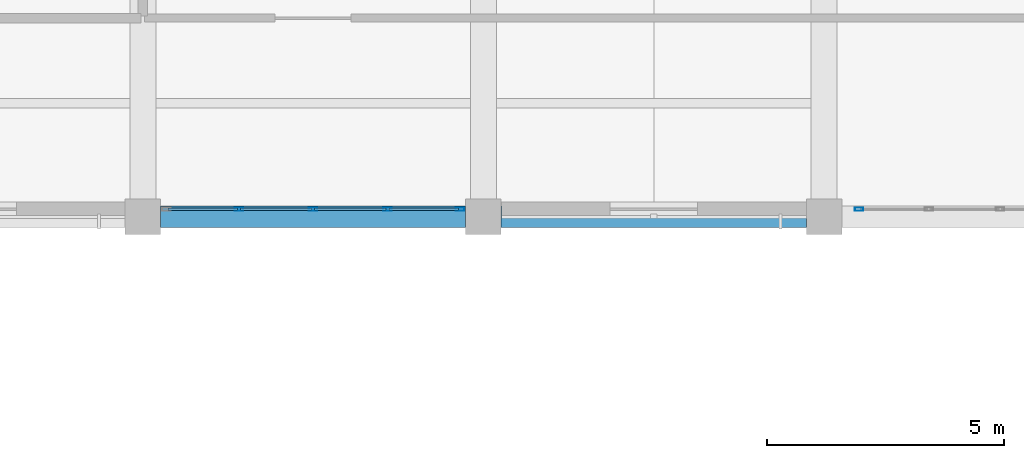
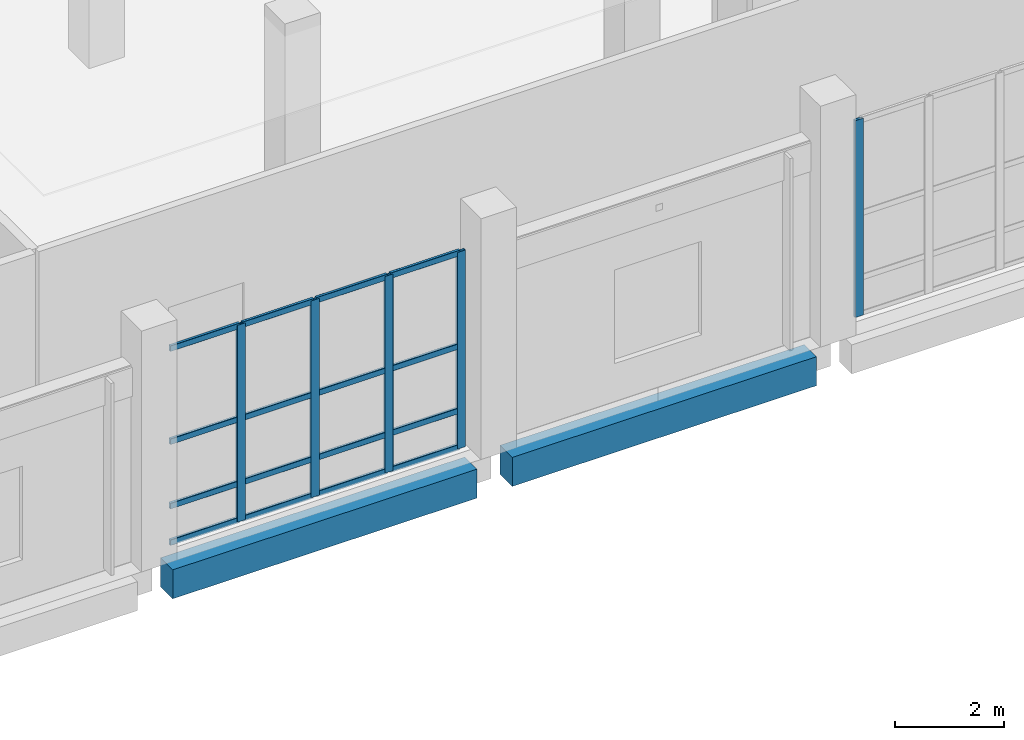
# One storey, part 51 of 137: 21 members, 2 beams, 2 elements without a shape of their own.
"""IFC4 building model written with IfcOpenShell, lengths in metres."""

from ifc_helpers import new_model, si_unit, direction, frame, origin, origin_2d, place, context, subcontext, project, spatial, rectangle, hollow_rectangle, extrude, material, material_profile, profile_set, type_object, element, aggregate, save


model = new_model("IFC4")

# Units and contexts
model_context = context("Model", 3, precision=1e-05, world=origin(), true_north=direction((0.0, 1.0)))
body_context = subcontext(model_context, "Body", "Model", "MODEL_VIEW")
ifc_project = project(units=[si_unit("LENGTHUNIT", "METRE"), si_unit("AREAUNIT", "SQUARE_METRE"), si_unit("VOLUMEUNIT", "CUBIC_METRE"), si_unit("PLANEANGLEUNIT", "RADIAN"), si_unit("MASSUNIT", "GRAM", prefix="KILO")], contexts=[model_context])

# Site, building, storey
site_placement = place(None, origin())
site = spatial("IfcSite", under=ifc_project, at=site_placement, CompositionType="ELEMENT")
building_placement = place(site_placement, origin())
building = spatial("IfcBuilding", under=site, at=building_placement, Name="Kalmorath City Hall", CompositionType="ELEMENT")
storey_placement = place(building_placement, origin())
storey = spatial("IfcBuildingStorey", under=building, at=storey_placement, Name="L00", CompositionType="ELEMENT", Elevation=0.0)

# Beams
ifc_material_1 = material(Name="Concrete C40/50", Category="concrete")
ifc_material_profile_1 = material_profile(ifc_material_1, rectangle(XDim=0.449951171875, YDim=0.64990234375, at=origin_2d()), Name="RC-BM-450X650")
ifc_profile_set_1 = profile_set([ifc_material_profile_1], Name="Concrete C40/50")
beam_type = type_object("IfcBeamType", Name="Concrete spandrel beam 450x650", PredefinedType="SPANDREL", material=ifc_profile_set_1)
beam_1_placement = place(storey_placement, frame((43.574951171875, 93.60009765625, -0.62890625), z_axis=(1.0, 0.0, 0.0), x_axis=(0.0, 1.0, 0.0)))
element("IfcBeam", 1, at=beam_1_placement, inside=storey, type_object=beam_type, Name="L00 girder CB5 X7-8/14", PredefinedType="SPANDREL", context=body_context, shape_type="SweptSolid", body=[
    extrude(rectangle(XDim=0.449951171875, YDim=0.64990234375, at=origin_2d()), origin(), (0.0, 0.0, 1.0), 6.449951171875),
])
beam_2_placement = place(storey_placement, frame((50.77490234375, 93.60009765625, -0.62890625), z_axis=(1.0, 0.0, 0.0), x_axis=(0.0, 1.0, 0.0)))
element("IfcBeam", 2, at=beam_2_placement, inside=storey, type_object=beam_type, Name="L00 girder CB5 X8-9/14", PredefinedType="SPANDREL", context=body_context, shape_type="SweptSolid", body=[
    extrude(rectangle(XDim=0.449951171875, YDim=0.64990234375, at=origin_2d()), origin(), (0.0, 0.0, 1.0), 6.4501953125),
])

# Curtain wall, member
ifc_material_2 = material(Name="Anodised aluminium and laminated glass", Category="aluminium")
curtain_wall_type_1 = type_object("IfcCurtainWallType", Name="Unitised hurricane curtain wall 6027x4411 M1550", PredefinedType="NOTDEFINED", material=ifc_material_2)
curtain_wall_1_placement = place(storey_placement, origin())
curtain_wall_1 = element("IfcCurtainWall", 3, at=curtain_wall_1_placement, inside=storey, type_object=curtain_wall_type_1, Name="L00 curtain wall CW-60X44M16 #52", PredefinedType="NOTDEFINED")
ifc_material_3 = material(Name="Anodised aluminium framing", Category="aluminium")
ifc_material_profile_2 = material_profile(ifc_material_3, hollow_rectangle(XDim=0.06494140625, YDim=0.179931640625, WallThickness=0.00390625, InnerFilletRadius=0.00390625, OuterFilletRadius=0.008056640625, at=origin_2d()), Name="ALU-MUL-180X65X4")
ifc_profile_set_2 = profile_set([ifc_material_profile_2], Name="Anodised aluminium framing")
member_type_1 = type_object("IfcMemberType", Name="Curtain-wall courtyard mullion 180x65", PredefinedType="MULLION", material=ifc_profile_set_2)
member_1_placement = place(storey_placement, frame((58.340087890625, 93.760009765625, 0.0), z_axis=(0.0, 0.0, 1.0), x_axis=(0.0, -1.0, 0.0)))
member_1 = element("IfcMember", 4, at=member_1_placement, type_object=member_type_1, Name="CW-60X44M16 mullion 5", PredefinedType="MULLION", context=body_context, shape_type="SweptSolid", body=[
    extrude(hollow_rectangle(XDim=0.06494140625, YDim=0.179931640625, WallThickness=0.00390625, InnerFilletRadius=0.00390625, OuterFilletRadius=0.008056640625, at=origin_2d()), origin(), (0.0, 0.0, 1.0), 4.410888671875),
])
aggregate(curtain_wall_1, [member_1])

# Curtain wall, members
ifc_material_4 = material(Name="Anodised aluminium and laminated glass", Category="aluminium")
curtain_wall_type_2 = type_object("IfcCurtainWallType", Name="Unitised hurricane curtain wall 6270x4411 M1550", PredefinedType="NOTDEFINED", material=ifc_material_4)
curtain_wall_2_placement = place(storey_placement, origin())
curtain_wall_2 = element("IfcCurtainWall", 5, at=curtain_wall_2_placement, inside=storey, type_object=curtain_wall_type_2, Name="L00 curtain wall CW-63X44M16 #53", PredefinedType="NOTDEFINED")
member_2_placement = place(storey_placement, frame((49.902587890625, 93.760009765625, 0.0), z_axis=(0.0, 0.0, 1.0), x_axis=(0.0, -1.0, 0.0)))
member_2 = element("IfcMember", 6, at=member_2_placement, type_object=member_type_1, Name="CW-63X44M16 mullion 1", PredefinedType="MULLION", context=body_context, shape_type="SweptSolid", body=[
    extrude(hollow_rectangle(XDim=0.06494140625, YDim=0.179931640625, WallThickness=0.00390625, InnerFilletRadius=0.00390625, OuterFilletRadius=0.008056640625, at=origin_2d()), origin(), (0.0, 0.0, 1.0), 4.410888671875),
])
member_3_placement = place(storey_placement, frame((48.367431640625, 93.760009765625, 0.0), z_axis=(0.0, 0.0, 1.0), x_axis=(0.0, -1.0, 0.0)))
member_3 = element("IfcMember", 7, at=member_3_placement, type_object=member_type_1, Name="CW-63X44M16 mullion 2", PredefinedType="MULLION", context=body_context, shape_type="SweptSolid", body=[
    extrude(hollow_rectangle(XDim=0.06494140625, YDim=0.179931640625, WallThickness=0.00390625, InnerFilletRadius=0.00390625, OuterFilletRadius=0.008056640625, at=origin_2d()), origin(), (0.0, 0.0, 1.0), 4.410888671875),
])
member_4_placement = place(storey_placement, frame((46.800048828125, 93.760009765625, 0.0), z_axis=(0.0, 0.0, 1.0), x_axis=(0.0, -1.0, 0.0)))
member_4 = element("IfcMember", 8, at=member_4_placement, type_object=member_type_1, Name="CW-63X44M16 mullion 3", PredefinedType="MULLION", context=body_context, shape_type="SweptSolid", body=[
    extrude(hollow_rectangle(XDim=0.06494140625, YDim=0.179931640625, WallThickness=0.00390625, InnerFilletRadius=0.00390625, OuterFilletRadius=0.008056640625, at=origin_2d()), origin(), (0.0, 0.0, 1.0), 4.410888671875),
])
member_5_placement = place(storey_placement, frame((45.232421875, 93.760009765625, 0.0), z_axis=(0.0, 0.0, 1.0), x_axis=(0.0, -1.0, 0.0)))
member_5 = element("IfcMember", 9, at=member_5_placement, type_object=member_type_1, Name="CW-63X44M16 mullion 4", PredefinedType="MULLION", context=body_context, shape_type="SweptSolid", body=[
    extrude(hollow_rectangle(XDim=0.06494140625, YDim=0.179931640625, WallThickness=0.00390625, InnerFilletRadius=0.00390625, OuterFilletRadius=0.008056640625, at=origin_2d()), origin(), (0.0, 0.0, 1.0), 4.410888671875),
])
ifc_material_5 = material(Name="Anodised aluminium framing", Category="aluminium")
ifc_material_profile_3 = material_profile(ifc_material_5, hollow_rectangle(XDim=0.06005859375, YDim=0.1298828125, WallThickness=0.00341796875, InnerFilletRadius=0.00341796875, OuterFilletRadius=0.007080078125, at=origin_2d()), Name="ALU-TRN-130X60X3.5")
ifc_profile_set_3 = profile_set([ifc_material_profile_3], Name="Anodised aluminium framing")
member_type_2 = type_object("IfcMemberType", Name="Curtain-wall courtyard transom 130x60", PredefinedType="USERDEFINED", material=ifc_profile_set_3)
member_6_placement = place(storey_placement, frame((49.8701171875, 93.760009765625, 0.030029296875), z_axis=(-1.0, 0.0, 0.0), x_axis=(0.0, -1.0, 0.0)))
member_6 = element("IfcMember", 10, at=member_6_placement, type_object=member_type_2, Name="CW-63X44M16 transom 1.1", ObjectType="TRANSOM", PredefinedType="USERDEFINED", context=body_context, shape_type="SweptSolid", body=[
    extrude(hollow_rectangle(XDim=0.06005859375, YDim=0.1298828125, WallThickness=0.00341796875, InnerFilletRadius=0.00341796875, OuterFilletRadius=0.007080078125, at=origin_2d()), origin(), (0.0, 0.0, 1.0), 1.47021484375),
])
member_7_placement = place(storey_placement, frame((49.8701171875, 93.760009765625, 0.85009765625), z_axis=(-1.0, 0.0, 0.0), x_axis=(0.0, -1.0, 0.0)))
member_7 = element("IfcMember", 11, at=member_7_placement, type_object=member_type_2, Name="CW-63X44M16 transom 1.2", ObjectType="TRANSOM", PredefinedType="USERDEFINED", context=body_context, shape_type="SweptSolid", body=[
    extrude(hollow_rectangle(XDim=0.06005859375, YDim=0.1298828125, WallThickness=0.00341796875, InnerFilletRadius=0.00341796875, OuterFilletRadius=0.007080078125, at=origin_2d()), origin(), (0.0, 0.0, 1.0), 1.47021484375),
])
member_8_placement = place(storey_placement, frame((49.8701171875, 93.760009765625, 2.2939453125), z_axis=(-1.0, 0.0, 0.0), x_axis=(0.0, -1.0, 0.0)))
member_8 = element("IfcMember", 12, at=member_8_placement, type_object=member_type_2, Name="CW-63X44M16 transom 1.3", ObjectType="TRANSOM", PredefinedType="USERDEFINED", context=body_context, shape_type="SweptSolid", body=[
    extrude(hollow_rectangle(XDim=0.06005859375, YDim=0.1298828125, WallThickness=0.00341796875, InnerFilletRadius=0.00341796875, OuterFilletRadius=0.007080078125, at=origin_2d()), origin(), (0.0, 0.0, 1.0), 1.47021484375),
])
member_9_placement = place(storey_placement, frame((49.8701171875, 93.760009765625, 4.381103515625), z_axis=(-1.0, 0.0, 0.0), x_axis=(0.0, -1.0, 0.0)))
member_9 = element("IfcMember", 13, at=member_9_placement, type_object=member_type_2, Name="CW-63X44M16 transom 1.4", ObjectType="TRANSOM", PredefinedType="USERDEFINED", context=body_context, shape_type="SweptSolid", body=[
    extrude(hollow_rectangle(XDim=0.06005859375, YDim=0.1298828125, WallThickness=0.00341796875, InnerFilletRadius=0.00341796875, OuterFilletRadius=0.007080078125, at=origin_2d()), origin(), (0.0, 0.0, 1.0), 1.47021484375),
])
member_10_placement = place(storey_placement, frame((48.3349609375, 93.760009765625, 0.030029296875), z_axis=(-1.0, 0.0, 0.0), x_axis=(0.0, -1.0, 0.0)))
member_10 = element("IfcMember", 14, at=member_10_placement, type_object=member_type_2, Name="CW-63X44M16 transom 2.1", ObjectType="TRANSOM", PredefinedType="USERDEFINED", context=body_context, shape_type="SweptSolid", body=[
    extrude(hollow_rectangle(XDim=0.06005859375, YDim=0.1298828125, WallThickness=0.00341796875, InnerFilletRadius=0.00341796875, OuterFilletRadius=0.007080078125, at=origin_2d()), origin(), (0.0, 0.0, 1.0), 1.50244140625),
])
member_11_placement = place(storey_placement, frame((48.3349609375, 93.760009765625, 0.85009765625), z_axis=(-1.0, 0.0, 0.0), x_axis=(0.0, -1.0, 0.0)))
member_11 = element("IfcMember", 15, at=member_11_placement, type_object=member_type_2, Name="CW-63X44M16 transom 2.2", ObjectType="TRANSOM", PredefinedType="USERDEFINED", context=body_context, shape_type="SweptSolid", body=[
    extrude(hollow_rectangle(XDim=0.06005859375, YDim=0.1298828125, WallThickness=0.00341796875, InnerFilletRadius=0.00341796875, OuterFilletRadius=0.007080078125, at=origin_2d()), origin(), (0.0, 0.0, 1.0), 1.50244140625),
])
member_12_placement = place(storey_placement, frame((48.3349609375, 93.760009765625, 2.2939453125), z_axis=(-1.0, 0.0, 0.0), x_axis=(0.0, -1.0, 0.0)))
member_12 = element("IfcMember", 16, at=member_12_placement, type_object=member_type_2, Name="CW-63X44M16 transom 2.3", ObjectType="TRANSOM", PredefinedType="USERDEFINED", context=body_context, shape_type="SweptSolid", body=[
    extrude(hollow_rectangle(XDim=0.06005859375, YDim=0.1298828125, WallThickness=0.00341796875, InnerFilletRadius=0.00341796875, OuterFilletRadius=0.007080078125, at=origin_2d()), origin(), (0.0, 0.0, 1.0), 1.50244140625),
])
member_13_placement = place(storey_placement, frame((48.3349609375, 93.760009765625, 4.381103515625), z_axis=(-1.0, 0.0, 0.0), x_axis=(0.0, -1.0, 0.0)))
member_13 = element("IfcMember", 17, at=member_13_placement, type_object=member_type_2, Name="CW-63X44M16 transom 2.4", ObjectType="TRANSOM", PredefinedType="USERDEFINED", context=body_context, shape_type="SweptSolid", body=[
    extrude(hollow_rectangle(XDim=0.06005859375, YDim=0.1298828125, WallThickness=0.00341796875, InnerFilletRadius=0.00341796875, OuterFilletRadius=0.007080078125, at=origin_2d()), origin(), (0.0, 0.0, 1.0), 1.50244140625),
])
member_14_placement = place(storey_placement, frame((46.767578125, 93.760009765625, 0.030029296875), z_axis=(-1.0, 0.0, 0.0), x_axis=(0.0, -1.0, 0.0)))
member_14 = element("IfcMember", 18, at=member_14_placement, type_object=member_type_2, Name="CW-63X44M16 transom 3.1", ObjectType="TRANSOM", PredefinedType="USERDEFINED", context=body_context, shape_type="SweptSolid", body=[
    extrude(hollow_rectangle(XDim=0.06005859375, YDim=0.1298828125, WallThickness=0.00341796875, InnerFilletRadius=0.00341796875, OuterFilletRadius=0.007080078125, at=origin_2d()), origin(), (0.0, 0.0, 1.0), 1.502685546875),
])
member_15_placement = place(storey_placement, frame((46.767578125, 93.760009765625, 0.85009765625), z_axis=(-1.0, 0.0, 0.0), x_axis=(0.0, -1.0, 0.0)))
member_15 = element("IfcMember", 19, at=member_15_placement, type_object=member_type_2, Name="CW-63X44M16 transom 3.2", ObjectType="TRANSOM", PredefinedType="USERDEFINED", context=body_context, shape_type="SweptSolid", body=[
    extrude(hollow_rectangle(XDim=0.06005859375, YDim=0.1298828125, WallThickness=0.00341796875, InnerFilletRadius=0.00341796875, OuterFilletRadius=0.007080078125, at=origin_2d()), origin(), (0.0, 0.0, 1.0), 1.502685546875),
])
member_16_placement = place(storey_placement, frame((46.767578125, 93.760009765625, 2.2939453125), z_axis=(-1.0, 0.0, 0.0), x_axis=(0.0, -1.0, 0.0)))
member_16 = element("IfcMember", 20, at=member_16_placement, type_object=member_type_2, Name="CW-63X44M16 transom 3.3", ObjectType="TRANSOM", PredefinedType="USERDEFINED", context=body_context, shape_type="SweptSolid", body=[
    extrude(hollow_rectangle(XDim=0.06005859375, YDim=0.1298828125, WallThickness=0.00341796875, InnerFilletRadius=0.00341796875, OuterFilletRadius=0.007080078125, at=origin_2d()), origin(), (0.0, 0.0, 1.0), 1.502685546875),
])
member_17_placement = place(storey_placement, frame((46.767578125, 93.760009765625, 4.381103515625), z_axis=(-1.0, 0.0, 0.0), x_axis=(0.0, -1.0, 0.0)))
member_17 = element("IfcMember", 21, at=member_17_placement, type_object=member_type_2, Name="CW-63X44M16 transom 3.4", ObjectType="TRANSOM", PredefinedType="USERDEFINED", context=body_context, shape_type="SweptSolid", body=[
    extrude(hollow_rectangle(XDim=0.06005859375, YDim=0.1298828125, WallThickness=0.00341796875, InnerFilletRadius=0.00341796875, OuterFilletRadius=0.007080078125, at=origin_2d()), origin(), (0.0, 0.0, 1.0), 1.502685546875),
])
member_18_placement = place(storey_placement, frame((45.199951171875, 93.760009765625, 0.030029296875), z_axis=(-1.0, 0.0, 0.0), x_axis=(0.0, -1.0, 0.0)))
member_18 = element("IfcMember", 22, at=member_18_placement, type_object=member_type_2, Name="CW-63X44M16 transom 4.1", ObjectType="TRANSOM", PredefinedType="USERDEFINED", context=body_context, shape_type="SweptSolid", body=[
    extrude(hollow_rectangle(XDim=0.06005859375, YDim=0.1298828125, WallThickness=0.00341796875, InnerFilletRadius=0.00341796875, OuterFilletRadius=0.007080078125, at=origin_2d()), origin(), (0.0, 0.0, 1.0), 1.469970703125),
])
member_19_placement = place(storey_placement, frame((45.199951171875, 93.760009765625, 0.85009765625), z_axis=(-1.0, 0.0, 0.0), x_axis=(0.0, -1.0, 0.0)))
member_19 = element("IfcMember", 23, at=member_19_placement, type_object=member_type_2, Name="CW-63X44M16 transom 4.2", ObjectType="TRANSOM", PredefinedType="USERDEFINED", context=body_context, shape_type="SweptSolid", body=[
    extrude(hollow_rectangle(XDim=0.06005859375, YDim=0.1298828125, WallThickness=0.00341796875, InnerFilletRadius=0.00341796875, OuterFilletRadius=0.007080078125, at=origin_2d()), origin(), (0.0, 0.0, 1.0), 1.469970703125),
])
member_20_placement = place(storey_placement, frame((45.199951171875, 93.760009765625, 2.2939453125), z_axis=(-1.0, 0.0, 0.0), x_axis=(0.0, -1.0, 0.0)))
member_20 = element("IfcMember", 24, at=member_20_placement, type_object=member_type_2, Name="CW-63X44M16 transom 4.3", ObjectType="TRANSOM", PredefinedType="USERDEFINED", context=body_context, shape_type="SweptSolid", body=[
    extrude(hollow_rectangle(XDim=0.06005859375, YDim=0.1298828125, WallThickness=0.00341796875, InnerFilletRadius=0.00341796875, OuterFilletRadius=0.007080078125, at=origin_2d()), origin(), (0.0, 0.0, 1.0), 1.469970703125),
])
member_21_placement = place(storey_placement, frame((45.199951171875, 93.760009765625, 4.381103515625), z_axis=(-1.0, 0.0, 0.0), x_axis=(0.0, -1.0, 0.0)))
member_21 = element("IfcMember", 25, at=member_21_placement, type_object=member_type_2, Name="CW-63X44M16 transom 4.4", ObjectType="TRANSOM", PredefinedType="USERDEFINED", context=body_context, shape_type="SweptSolid", body=[
    extrude(hollow_rectangle(XDim=0.06005859375, YDim=0.1298828125, WallThickness=0.00341796875, InnerFilletRadius=0.00341796875, OuterFilletRadius=0.007080078125, at=origin_2d()), origin(), (0.0, 0.0, 1.0), 1.469970703125),
])
aggregate(curtain_wall_2, [member_2, member_3, member_4, member_5, member_6, member_7, member_8, member_9, member_10, member_11, member_12, member_13, member_14, member_15, member_16, member_17, member_18, member_19, member_20, member_21])

save(model, "model.ifc")
